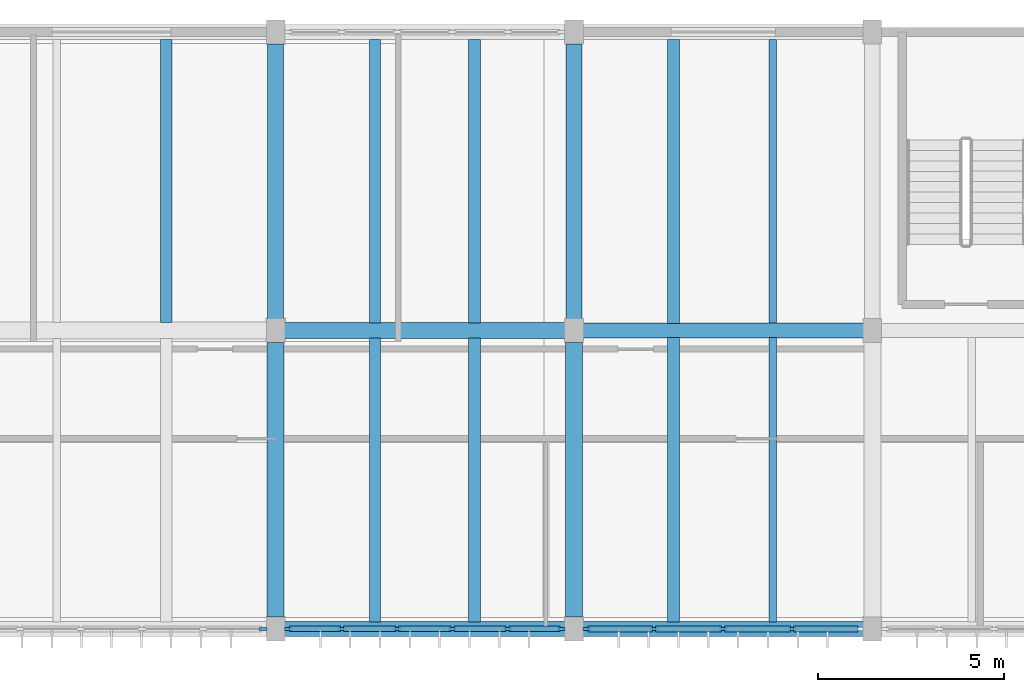
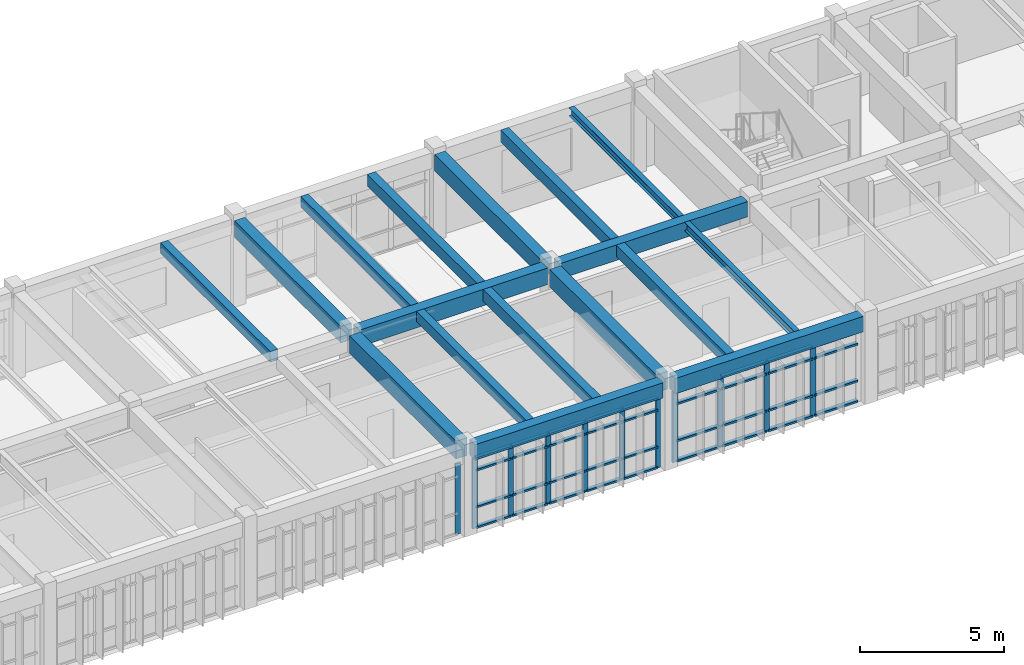
# One storey, part 5 of 15: 47 members, 17 beams, 3 elements without a shape of their own.
"""IFC4 building model written with IfcOpenShell, lengths in metres."""

from ifc_helpers import new_model, si_unit, direction, frame, origin, origin_2d, place, context, subcontext, project, spatial, rectangle, i_section, extrude, material, material_profile, profile_set, type_object, element, aggregate, save


model = new_model("IFC4")

# Units and contexts
model_context = context("Model", 3, precision=1e-05, world=origin(), true_north=direction((0.0, 1.0)))
body_context = subcontext(model_context, "Body", "Model", "MODEL_VIEW")
ifc_project = project(units=[si_unit("LENGTHUNIT", "METRE"), si_unit("AREAUNIT", "SQUARE_METRE"), si_unit("VOLUMEUNIT", "CUBIC_METRE"), si_unit("PLANEANGLEUNIT", "RADIAN"), si_unit("MASSUNIT", "GRAM", prefix="KILO")], contexts=[model_context])

# Site, building, storey
site_placement = place(None, origin())
site = spatial("IfcSite", under=ifc_project, at=site_placement, CompositionType="ELEMENT")
building_placement = place(site_placement, origin())
building = spatial("IfcBuilding", under=site, at=building_placement, Name="Tlaxcora Railside Police Headquarters", CompositionType="ELEMENT")
storey_placement = place(building_placement, frame((0.0, 0.0, 25.800048828125)))
storey = spatial("IfcBuildingStorey", under=building, at=storey_placement, Name="L06", CompositionType="ELEMENT", Elevation=25.800048828125)

# Curtain wall, member
ifc_material_1 = material(Name="Thermally broken low-E insulated glazing", Category="glass")
curtain_wall_type_1 = type_object("IfcCurtainWallType", Name="Unitised Curtain Wall Assembly CW-38", PredefinedType="NOTDEFINED", material=ifc_material_1)
curtain_wall_1_placement = place(storey_placement, origin())
curtain_wall_1 = element("IfcCurtainWall", 1, at=curtain_wall_1_placement, inside=storey, type_object=curtain_wall_type_1, Name="V5 L06 curtain wall 125", PredefinedType="NOTDEFINED")
ifc_material_2 = material(Name="Anodised aluminium framing", Category="aluminium")
ifc_material_profile_1 = material_profile(ifc_material_2, rectangle(XDim=0.074951171875, YDim=0.205078125, at=origin_2d()), Name="AL75X205")
ifc_profile_set_1 = profile_set([ifc_material_profile_1], Name="Anodised aluminium framing")
member_type_1 = type_object("IfcMemberType", Name="Curtain Wall Mullion CW-32", PredefinedType="MULLION", material=ifc_profile_set_1)
member_1_placement = place(storey_placement, frame((53.66259765625, 76.800048828125, 0.0), z_axis=(0.0, 0.0, 1.0), x_axis=(0.0, 1.0, 0.0)))
member_1 = element("IfcMember", 2, at=member_1_placement, type_object=member_type_1, Name="CW mullion 6", PredefinedType="MULLION", context=body_context, shape_type="SweptSolid", body=[
    extrude(rectangle(XDim=0.074951171875, YDim=0.205078125, at=origin_2d()), origin(), (0.0, 0.0, 1.0), 2.989990234375),
])
aggregate(curtain_wall_1, [member_1])

# Curtain wall, members
curtain_wall_type_2 = type_object("IfcCurtainWallType", Name="Unitised Curtain Wall Assembly CW-15", PredefinedType="NOTDEFINED", material=ifc_material_1)
curtain_wall_2_placement = place(storey_placement, origin())
curtain_wall_2 = element("IfcCurtainWall", 3, at=curtain_wall_2_placement, inside=storey, type_object=curtain_wall_type_2, Name="V5 L06 curtain wall 126", PredefinedType="NOTDEFINED")
ifc_material_profile_2 = material_profile(ifc_material_2, rectangle(XDim=0.074951171875, YDim=0.199951171875, at=origin_2d()), Name="AL75X200")
ifc_profile_set_2 = profile_set([ifc_material_profile_2], Name="Anodised aluminium framing")
member_type_2 = type_object("IfcMemberType", Name="Curtain Wall Mullion CW-58", PredefinedType="MULLION", material=ifc_profile_set_2)
member_2_placement = place(storey_placement, frame((54.33740234375, 76.800048828125, 0.0), z_axis=(0.0, 0.0, 1.0), x_axis=(0.0, 1.0, 0.0)))
member_2 = element("IfcMember", 4, at=member_2_placement, type_object=member_type_2, Name="CW mullion 1", PredefinedType="MULLION", context=body_context, shape_type="SweptSolid", body=[
    extrude(rectangle(XDim=0.074951171875, YDim=0.199951171875, at=origin_2d()), origin(), (0.0, 0.0, 1.0), 2.989990234375),
])
member_3_placement = place(storey_placement, frame((55.780029296875, 76.800048828125, 0.0), z_axis=(0.0, 0.0, 1.0), x_axis=(0.0, 1.0, 0.0)))
member_3 = element("IfcMember", 5, at=member_3_placement, type_object=member_type_2, Name="CW mullion 2", PredefinedType="MULLION", context=body_context, shape_type="SweptSolid", body=[
    extrude(rectangle(XDim=0.074951171875, YDim=0.199951171875, at=origin_2d()), origin(), (0.0, 0.0, 1.0), 2.989990234375),
])
member_4_placement = place(storey_placement, frame((57.260009765625, 76.800048828125, 0.0), z_axis=(0.0, 0.0, 1.0), x_axis=(0.0, 1.0, 0.0)))
member_4 = element("IfcMember", 6, at=member_4_placement, type_object=member_type_2, Name="CW mullion 3", PredefinedType="MULLION", context=body_context, shape_type="SweptSolid", body=[
    extrude(rectangle(XDim=0.074951171875, YDim=0.199951171875, at=origin_2d()), origin(), (0.0, 0.0, 1.0), 2.989990234375),
])
member_5_placement = place(storey_placement, frame((58.739990234375, 76.800048828125, 0.0), z_axis=(0.0, 0.0, 1.0), x_axis=(0.0, 1.0, 0.0)))
member_5 = element("IfcMember", 7, at=member_5_placement, type_object=member_type_2, Name="CW mullion 4", PredefinedType="MULLION", context=body_context, shape_type="SweptSolid", body=[
    extrude(rectangle(XDim=0.074951171875, YDim=0.199951171875, at=origin_2d()), origin(), (0.0, 0.0, 1.0), 2.989990234375),
])
member_6_placement = place(storey_placement, frame((60.219970703125, 76.800048828125, 0.0), z_axis=(0.0, 0.0, 1.0), x_axis=(0.0, 1.0, 0.0)))
member_6 = element("IfcMember", 8, at=member_6_placement, type_object=member_type_2, Name="CW mullion 5", PredefinedType="MULLION", context=body_context, shape_type="SweptSolid", body=[
    extrude(rectangle(XDim=0.074951171875, YDim=0.199951171875, at=origin_2d()), origin(), (0.0, 0.0, 1.0), 2.989990234375),
])
member_7_placement = place(storey_placement, frame((61.66259765625, 76.800048828125, 0.0), z_axis=(0.0, 0.0, 1.0), x_axis=(0.0, 1.0, 0.0)))
member_7 = element("IfcMember", 9, at=member_7_placement, type_object=member_type_2, Name="CW mullion 6", PredefinedType="MULLION", context=body_context, shape_type="SweptSolid", body=[
    extrude(rectangle(XDim=0.074951171875, YDim=0.199951171875, at=origin_2d()), origin(), (0.0, 0.0, 1.0), 2.989990234375),
])

curtain_wall_type_3 = type_object("IfcCurtainWallType", Name="Unitised Curtain Wall Assembly CW-83", PredefinedType="NOTDEFINED", material=ifc_material_1)
curtain_wall_3_placement = place(storey_placement, origin())
curtain_wall_3 = element("IfcCurtainWall", 10, at=curtain_wall_3_placement, inside=storey, type_object=curtain_wall_type_3, Name="V5 L06 curtain wall 127", PredefinedType="NOTDEFINED")
ifc_material_profile_3 = material_profile(ifc_material_2, rectangle(XDim=0.080078125, YDim=0.2099609375, at=origin_2d()), Name="AL80X210")
ifc_profile_set_3 = profile_set([ifc_material_profile_3], Name="Anodised aluminium framing")
member_type_3 = type_object("IfcMemberType", Name="Curtain Wall Mullion CW-76", PredefinedType="MULLION", material=ifc_profile_set_3)
member_8_placement = place(storey_placement, frame((62.340087890625, 76.800048828125, 0.0), z_axis=(0.0, 0.0, 1.0), x_axis=(0.0, 1.0, 0.0)))
member_8 = element("IfcMember", 11, at=member_8_placement, type_object=member_type_3, Name="CW mullion 1", PredefinedType="MULLION", context=body_context, shape_type="SweptSolid", body=[
    extrude(rectangle(XDim=0.080078125, YDim=0.2099609375, at=origin_2d()), origin(), (0.0, 0.0, 1.0), 2.989990234375),
])
member_9_placement = place(storey_placement, frame((64.14990234375, 76.800048828125, 0.0), z_axis=(0.0, 0.0, 1.0), x_axis=(0.0, 1.0, 0.0)))
member_9 = element("IfcMember", 12, at=member_9_placement, type_object=member_type_3, Name="CW mullion 2", PredefinedType="MULLION", context=body_context, shape_type="SweptSolid", body=[
    extrude(rectangle(XDim=0.080078125, YDim=0.2099609375, at=origin_2d()), origin(), (0.0, 0.0, 1.0), 2.989990234375),
])
member_10_placement = place(storey_placement, frame((66.0, 76.800048828125, 0.0), z_axis=(0.0, 0.0, 1.0), x_axis=(0.0, 1.0, 0.0)))
member_10 = element("IfcMember", 13, at=member_10_placement, type_object=member_type_3, Name="CW mullion 3", PredefinedType="MULLION", context=body_context, shape_type="SweptSolid", body=[
    extrude(rectangle(XDim=0.080078125, YDim=0.2099609375, at=origin_2d()), origin(), (0.0, 0.0, 1.0), 2.989990234375),
])
member_11_placement = place(storey_placement, frame((67.85009765625, 76.800048828125, 0.0), z_axis=(0.0, 0.0, 1.0), x_axis=(0.0, 1.0, 0.0)))
member_11 = element("IfcMember", 14, at=member_11_placement, type_object=member_type_3, Name="CW mullion 4", PredefinedType="MULLION", context=body_context, shape_type="SweptSolid", body=[
    extrude(rectangle(XDim=0.080078125, YDim=0.2099609375, at=origin_2d()), origin(), (0.0, 0.0, 1.0), 2.989990234375),
])

# Member
ifc_material_profile_4 = material_profile(ifc_material_2, rectangle(XDim=0.14990234375, YDim=0.074951171875, at=origin_2d()), Name="AL75X150")
ifc_profile_set_4 = profile_set([ifc_material_profile_4], Name="Anodised aluminium framing")
member_type_4 = type_object("IfcMemberType", Name="Curtain Wall Transom CW-28", PredefinedType="USERDEFINED", material=ifc_profile_set_4)
member_12_placement = place(storey_placement, frame((54.375, 76.800048828125, 0.037353515625), z_axis=(1.0, 0.0, 0.0), x_axis=(0.0, 1.0, 0.0)))
member_12 = element("IfcMember", 15, at=member_12_placement, type_object=member_type_4, Name="CW transom 1.1", ObjectType="TRANSOM", PredefinedType="USERDEFINED", context=body_context, shape_type="SweptSolid", body=[
    extrude(rectangle(XDim=0.14990234375, YDim=0.074951171875, at=origin_2d()), origin(), (0.0, 0.0, 1.0), 1.367431640625),
])

member_13_placement = place(storey_placement, frame((54.375, 76.800048828125, 0.89990234375), z_axis=(1.0, 0.0, 0.0), x_axis=(0.0, 1.0, 0.0)))
member_13 = element("IfcMember", 16, at=member_13_placement, type_object=member_type_4, Name="CW transom 1.2", ObjectType="TRANSOM", PredefinedType="USERDEFINED", context=body_context, shape_type="SweptSolid", body=[
    extrude(rectangle(XDim=0.14990234375, YDim=0.074951171875, at=origin_2d()), origin(), (0.0, 0.0, 1.0), 1.367431640625),
])

member_14_placement = place(storey_placement, frame((54.375, 76.800048828125, 2.4599609375), z_axis=(1.0, 0.0, 0.0), x_axis=(0.0, 1.0, 0.0)))
member_14 = element("IfcMember", 17, at=member_14_placement, type_object=member_type_4, Name="CW transom 1.3", ObjectType="TRANSOM", PredefinedType="USERDEFINED", context=body_context, shape_type="SweptSolid", body=[
    extrude(rectangle(XDim=0.14990234375, YDim=0.074951171875, at=origin_2d()), origin(), (0.0, 0.0, 1.0), 1.367431640625),
])

member_15_placement = place(storey_placement, frame((54.375, 76.800048828125, 2.952392578125), z_axis=(1.0, 0.0, 0.0), x_axis=(0.0, 1.0, 0.0)))
member_15 = element("IfcMember", 18, at=member_15_placement, type_object=member_type_4, Name="CW transom 1.4", ObjectType="TRANSOM", PredefinedType="USERDEFINED", context=body_context, shape_type="SweptSolid", body=[
    extrude(rectangle(XDim=0.14990234375, YDim=0.074951171875, at=origin_2d()), origin(), (0.0, 0.0, 1.0), 1.367431640625),
])

member_16_placement = place(storey_placement, frame((55.8173828125, 76.800048828125, 0.037353515625), z_axis=(1.0, 0.0, 0.0), x_axis=(0.0, 1.0, 0.0)))
member_16 = element("IfcMember", 19, at=member_16_placement, type_object=member_type_4, Name="CW transom 2.1", ObjectType="TRANSOM", PredefinedType="USERDEFINED", context=body_context, shape_type="SweptSolid", body=[
    extrude(rectangle(XDim=0.14990234375, YDim=0.074951171875, at=origin_2d()), origin(), (0.0, 0.0, 1.0), 1.405029296875),
])

member_17_placement = place(storey_placement, frame((55.8173828125, 76.800048828125, 0.89990234375), z_axis=(1.0, 0.0, 0.0), x_axis=(0.0, 1.0, 0.0)))
member_17 = element("IfcMember", 20, at=member_17_placement, type_object=member_type_4, Name="CW transom 2.2", ObjectType="TRANSOM", PredefinedType="USERDEFINED", context=body_context, shape_type="SweptSolid", body=[
    extrude(rectangle(XDim=0.14990234375, YDim=0.074951171875, at=origin_2d()), origin(), (0.0, 0.0, 1.0), 1.405029296875),
])

member_18_placement = place(storey_placement, frame((55.8173828125, 76.800048828125, 2.4599609375), z_axis=(1.0, 0.0, 0.0), x_axis=(0.0, 1.0, 0.0)))
member_18 = element("IfcMember", 21, at=member_18_placement, type_object=member_type_4, Name="CW transom 2.3", ObjectType="TRANSOM", PredefinedType="USERDEFINED", context=body_context, shape_type="SweptSolid", body=[
    extrude(rectangle(XDim=0.14990234375, YDim=0.074951171875, at=origin_2d()), origin(), (0.0, 0.0, 1.0), 1.405029296875),
])

member_19_placement = place(storey_placement, frame((55.8173828125, 76.800048828125, 2.952392578125), z_axis=(1.0, 0.0, 0.0), x_axis=(0.0, 1.0, 0.0)))
member_19 = element("IfcMember", 22, at=member_19_placement, type_object=member_type_4, Name="CW transom 2.4", ObjectType="TRANSOM", PredefinedType="USERDEFINED", context=body_context, shape_type="SweptSolid", body=[
    extrude(rectangle(XDim=0.14990234375, YDim=0.074951171875, at=origin_2d()), origin(), (0.0, 0.0, 1.0), 1.405029296875),
])

member_20_placement = place(storey_placement, frame((57.297607421875, 76.800048828125, 0.037353515625), z_axis=(1.0, 0.0, 0.0), x_axis=(0.0, 1.0, 0.0)))
member_20 = element("IfcMember", 23, at=member_20_placement, type_object=member_type_4, Name="CW transom 3.1", ObjectType="TRANSOM", PredefinedType="USERDEFINED", context=body_context, shape_type="SweptSolid", body=[
    extrude(rectangle(XDim=0.14990234375, YDim=0.074951171875, at=origin_2d()), origin(), (0.0, 0.0, 1.0), 1.40478515625),
])

member_21_placement = place(storey_placement, frame((57.297607421875, 76.800048828125, 0.89990234375), z_axis=(1.0, 0.0, 0.0), x_axis=(0.0, 1.0, 0.0)))
member_21 = element("IfcMember", 24, at=member_21_placement, type_object=member_type_4, Name="CW transom 3.2", ObjectType="TRANSOM", PredefinedType="USERDEFINED", context=body_context, shape_type="SweptSolid", body=[
    extrude(rectangle(XDim=0.14990234375, YDim=0.074951171875, at=origin_2d()), origin(), (0.0, 0.0, 1.0), 1.40478515625),
])

member_22_placement = place(storey_placement, frame((57.297607421875, 76.800048828125, 2.4599609375), z_axis=(1.0, 0.0, 0.0), x_axis=(0.0, 1.0, 0.0)))
member_22 = element("IfcMember", 25, at=member_22_placement, type_object=member_type_4, Name="CW transom 3.3", ObjectType="TRANSOM", PredefinedType="USERDEFINED", context=body_context, shape_type="SweptSolid", body=[
    extrude(rectangle(XDim=0.14990234375, YDim=0.074951171875, at=origin_2d()), origin(), (0.0, 0.0, 1.0), 1.40478515625),
])

member_23_placement = place(storey_placement, frame((57.297607421875, 76.800048828125, 2.952392578125), z_axis=(1.0, 0.0, 0.0), x_axis=(0.0, 1.0, 0.0)))
member_23 = element("IfcMember", 26, at=member_23_placement, type_object=member_type_4, Name="CW transom 3.4", ObjectType="TRANSOM", PredefinedType="USERDEFINED", context=body_context, shape_type="SweptSolid", body=[
    extrude(rectangle(XDim=0.14990234375, YDim=0.074951171875, at=origin_2d()), origin(), (0.0, 0.0, 1.0), 1.40478515625),
])

member_24_placement = place(storey_placement, frame((58.777587890625, 76.800048828125, 0.037353515625), z_axis=(1.0, 0.0, 0.0), x_axis=(0.0, 1.0, 0.0)))
member_24 = element("IfcMember", 27, at=member_24_placement, type_object=member_type_4, Name="CW transom 4.1", ObjectType="TRANSOM", PredefinedType="USERDEFINED", context=body_context, shape_type="SweptSolid", body=[
    extrude(rectangle(XDim=0.14990234375, YDim=0.074951171875, at=origin_2d()), origin(), (0.0, 0.0, 1.0), 1.405029296875),
])

member_25_placement = place(storey_placement, frame((58.777587890625, 76.800048828125, 0.89990234375), z_axis=(1.0, 0.0, 0.0), x_axis=(0.0, 1.0, 0.0)))
member_25 = element("IfcMember", 28, at=member_25_placement, type_object=member_type_4, Name="CW transom 4.2", ObjectType="TRANSOM", PredefinedType="USERDEFINED", context=body_context, shape_type="SweptSolid", body=[
    extrude(rectangle(XDim=0.14990234375, YDim=0.074951171875, at=origin_2d()), origin(), (0.0, 0.0, 1.0), 1.405029296875),
])

member_26_placement = place(storey_placement, frame((58.777587890625, 76.800048828125, 2.4599609375), z_axis=(1.0, 0.0, 0.0), x_axis=(0.0, 1.0, 0.0)))
member_26 = element("IfcMember", 29, at=member_26_placement, type_object=member_type_4, Name="CW transom 4.3", ObjectType="TRANSOM", PredefinedType="USERDEFINED", context=body_context, shape_type="SweptSolid", body=[
    extrude(rectangle(XDim=0.14990234375, YDim=0.074951171875, at=origin_2d()), origin(), (0.0, 0.0, 1.0), 1.405029296875),
])

member_27_placement = place(storey_placement, frame((58.777587890625, 76.800048828125, 2.952392578125), z_axis=(1.0, 0.0, 0.0), x_axis=(0.0, 1.0, 0.0)))
member_27 = element("IfcMember", 30, at=member_27_placement, type_object=member_type_4, Name="CW transom 4.4", ObjectType="TRANSOM", PredefinedType="USERDEFINED", context=body_context, shape_type="SweptSolid", body=[
    extrude(rectangle(XDim=0.14990234375, YDim=0.074951171875, at=origin_2d()), origin(), (0.0, 0.0, 1.0), 1.405029296875),
])

member_28_placement = place(storey_placement, frame((60.257568359375, 76.800048828125, 0.037353515625), z_axis=(1.0, 0.0, 0.0), x_axis=(0.0, 1.0, 0.0)))
member_28 = element("IfcMember", 31, at=member_28_placement, type_object=member_type_4, Name="CW transom 5.1", ObjectType="TRANSOM", PredefinedType="USERDEFINED", context=body_context, shape_type="SweptSolid", body=[
    extrude(rectangle(XDim=0.14990234375, YDim=0.074951171875, at=origin_2d()), origin(), (0.0, 0.0, 1.0), 1.367431640625),
])

member_29_placement = place(storey_placement, frame((60.257568359375, 76.800048828125, 0.89990234375), z_axis=(1.0, 0.0, 0.0), x_axis=(0.0, 1.0, 0.0)))
member_29 = element("IfcMember", 32, at=member_29_placement, type_object=member_type_4, Name="CW transom 5.2", ObjectType="TRANSOM", PredefinedType="USERDEFINED", context=body_context, shape_type="SweptSolid", body=[
    extrude(rectangle(XDim=0.14990234375, YDim=0.074951171875, at=origin_2d()), origin(), (0.0, 0.0, 1.0), 1.367431640625),
])

member_30_placement = place(storey_placement, frame((60.257568359375, 76.800048828125, 2.4599609375), z_axis=(1.0, 0.0, 0.0), x_axis=(0.0, 1.0, 0.0)))
member_30 = element("IfcMember", 33, at=member_30_placement, type_object=member_type_4, Name="CW transom 5.3", ObjectType="TRANSOM", PredefinedType="USERDEFINED", context=body_context, shape_type="SweptSolid", body=[
    extrude(rectangle(XDim=0.14990234375, YDim=0.074951171875, at=origin_2d()), origin(), (0.0, 0.0, 1.0), 1.367431640625),
])

member_31_placement = place(storey_placement, frame((60.257568359375, 76.800048828125, 2.952392578125), z_axis=(1.0, 0.0, 0.0), x_axis=(0.0, 1.0, 0.0)))
member_31 = element("IfcMember", 34, at=member_31_placement, type_object=member_type_4, Name="CW transom 5.4", ObjectType="TRANSOM", PredefinedType="USERDEFINED", context=body_context, shape_type="SweptSolid", body=[
    extrude(rectangle(XDim=0.14990234375, YDim=0.074951171875, at=origin_2d()), origin(), (0.0, 0.0, 1.0), 1.367431640625),
])

aggregate(curtain_wall_2, [member_2, member_3, member_4, member_5, member_6, member_7, member_12, member_13, member_14, member_15, member_16, member_17, member_18, member_19, member_20, member_21, member_22, member_23, member_24, member_25, member_26, member_27, member_28, member_29, member_30, member_31])

ifc_material_profile_5 = material_profile(ifc_material_2, rectangle(XDim=0.159912109375, YDim=0.080078125, at=origin_2d()), Name="AL80X160")
ifc_profile_set_5 = profile_set([ifc_material_profile_5], Name="Anodised aluminium framing")
member_type_5 = type_object("IfcMemberType", Name="Curtain Wall Transom CW-82", PredefinedType="USERDEFINED", material=ifc_profile_set_5)
member_32_placement = place(storey_placement, frame((62.3798828125, 76.800048828125, 0.0400390625), z_axis=(1.0, 0.0, 0.0), x_axis=(0.0, 1.0, 0.0)))
member_32 = element("IfcMember", 35, at=member_32_placement, type_object=member_type_5, Name="CW transom 1.1", ObjectType="TRANSOM", PredefinedType="USERDEFINED", context=body_context, shape_type="SweptSolid", body=[
    extrude(rectangle(XDim=0.159912109375, YDim=0.080078125, at=origin_2d()), origin(), (0.0, 0.0, 1.0), 1.730224609375),
])

member_33_placement = place(storey_placement, frame((62.3798828125, 76.800048828125, 0.89990234375), z_axis=(1.0, 0.0, 0.0), x_axis=(0.0, 1.0, 0.0)))
member_33 = element("IfcMember", 36, at=member_33_placement, type_object=member_type_5, Name="CW transom 1.2", ObjectType="TRANSOM", PredefinedType="USERDEFINED", context=body_context, shape_type="SweptSolid", body=[
    extrude(rectangle(XDim=0.159912109375, YDim=0.080078125, at=origin_2d()), origin(), (0.0, 0.0, 1.0), 1.730224609375),
])

member_34_placement = place(storey_placement, frame((62.3798828125, 76.800048828125, 2.4599609375), z_axis=(1.0, 0.0, 0.0), x_axis=(0.0, 1.0, 0.0)))
member_34 = element("IfcMember", 37, at=member_34_placement, type_object=member_type_5, Name="CW transom 1.3", ObjectType="TRANSOM", PredefinedType="USERDEFINED", context=body_context, shape_type="SweptSolid", body=[
    extrude(rectangle(XDim=0.159912109375, YDim=0.080078125, at=origin_2d()), origin(), (0.0, 0.0, 1.0), 1.730224609375),
])

member_35_placement = place(storey_placement, frame((62.3798828125, 76.800048828125, 2.949951171875), z_axis=(1.0, 0.0, 0.0), x_axis=(0.0, 1.0, 0.0)))
member_35 = element("IfcMember", 38, at=member_35_placement, type_object=member_type_5, Name="CW transom 1.4", ObjectType="TRANSOM", PredefinedType="USERDEFINED", context=body_context, shape_type="SweptSolid", body=[
    extrude(rectangle(XDim=0.159912109375, YDim=0.080078125, at=origin_2d()), origin(), (0.0, 0.0, 1.0), 1.730224609375),
])

member_36_placement = place(storey_placement, frame((64.18994140625, 76.800048828125, 0.0400390625), z_axis=(1.0, 0.0, 0.0), x_axis=(0.0, 1.0, 0.0)))
member_36 = element("IfcMember", 39, at=member_36_placement, type_object=member_type_5, Name="CW transom 2.1", ObjectType="TRANSOM", PredefinedType="USERDEFINED", context=body_context, shape_type="SweptSolid", body=[
    extrude(rectangle(XDim=0.159912109375, YDim=0.080078125, at=origin_2d()), origin(), (0.0, 0.0, 1.0), 1.77001953125),
])

member_37_placement = place(storey_placement, frame((64.18994140625, 76.800048828125, 0.89990234375), z_axis=(1.0, 0.0, 0.0), x_axis=(0.0, 1.0, 0.0)))
member_37 = element("IfcMember", 40, at=member_37_placement, type_object=member_type_5, Name="CW transom 2.2", ObjectType="TRANSOM", PredefinedType="USERDEFINED", context=body_context, shape_type="SweptSolid", body=[
    extrude(rectangle(XDim=0.159912109375, YDim=0.080078125, at=origin_2d()), origin(), (0.0, 0.0, 1.0), 1.77001953125),
])

member_38_placement = place(storey_placement, frame((64.18994140625, 76.800048828125, 2.4599609375), z_axis=(1.0, 0.0, 0.0), x_axis=(0.0, 1.0, 0.0)))
member_38 = element("IfcMember", 41, at=member_38_placement, type_object=member_type_5, Name="CW transom 2.3", ObjectType="TRANSOM", PredefinedType="USERDEFINED", context=body_context, shape_type="SweptSolid", body=[
    extrude(rectangle(XDim=0.159912109375, YDim=0.080078125, at=origin_2d()), origin(), (0.0, 0.0, 1.0), 1.77001953125),
])

member_39_placement = place(storey_placement, frame((64.18994140625, 76.800048828125, 2.949951171875), z_axis=(1.0, 0.0, 0.0), x_axis=(0.0, 1.0, 0.0)))
member_39 = element("IfcMember", 42, at=member_39_placement, type_object=member_type_5, Name="CW transom 2.4", ObjectType="TRANSOM", PredefinedType="USERDEFINED", context=body_context, shape_type="SweptSolid", body=[
    extrude(rectangle(XDim=0.159912109375, YDim=0.080078125, at=origin_2d()), origin(), (0.0, 0.0, 1.0), 1.77001953125),
])

member_40_placement = place(storey_placement, frame((66.0400390625, 76.800048828125, 0.0400390625), z_axis=(1.0, 0.0, 0.0), x_axis=(0.0, 1.0, 0.0)))
member_40 = element("IfcMember", 43, at=member_40_placement, type_object=member_type_5, Name="CW transom 3.1", ObjectType="TRANSOM", PredefinedType="USERDEFINED", context=body_context, shape_type="SweptSolid", body=[
    extrude(rectangle(XDim=0.159912109375, YDim=0.080078125, at=origin_2d()), origin(), (0.0, 0.0, 1.0), 1.77001953125),
])

member_41_placement = place(storey_placement, frame((66.0400390625, 76.800048828125, 0.89990234375), z_axis=(1.0, 0.0, 0.0), x_axis=(0.0, 1.0, 0.0)))
member_41 = element("IfcMember", 44, at=member_41_placement, type_object=member_type_5, Name="CW transom 3.2", ObjectType="TRANSOM", PredefinedType="USERDEFINED", context=body_context, shape_type="SweptSolid", body=[
    extrude(rectangle(XDim=0.159912109375, YDim=0.080078125, at=origin_2d()), origin(), (0.0, 0.0, 1.0), 1.77001953125),
])

member_42_placement = place(storey_placement, frame((66.0400390625, 76.800048828125, 2.4599609375), z_axis=(1.0, 0.0, 0.0), x_axis=(0.0, 1.0, 0.0)))
member_42 = element("IfcMember", 45, at=member_42_placement, type_object=member_type_5, Name="CW transom 3.3", ObjectType="TRANSOM", PredefinedType="USERDEFINED", context=body_context, shape_type="SweptSolid", body=[
    extrude(rectangle(XDim=0.159912109375, YDim=0.080078125, at=origin_2d()), origin(), (0.0, 0.0, 1.0), 1.77001953125),
])

member_43_placement = place(storey_placement, frame((66.0400390625, 76.800048828125, 2.949951171875), z_axis=(1.0, 0.0, 0.0), x_axis=(0.0, 1.0, 0.0)))
member_43 = element("IfcMember", 46, at=member_43_placement, type_object=member_type_5, Name="CW transom 3.4", ObjectType="TRANSOM", PredefinedType="USERDEFINED", context=body_context, shape_type="SweptSolid", body=[
    extrude(rectangle(XDim=0.159912109375, YDim=0.080078125, at=origin_2d()), origin(), (0.0, 0.0, 1.0), 1.77001953125),
])

member_44_placement = place(storey_placement, frame((67.889892578125, 76.800048828125, 0.0400390625), z_axis=(1.0, 0.0, 0.0), x_axis=(0.0, 1.0, 0.0)))
member_44 = element("IfcMember", 47, at=member_44_placement, type_object=member_type_5, Name="CW transom 4.1", ObjectType="TRANSOM", PredefinedType="USERDEFINED", context=body_context, shape_type="SweptSolid", body=[
    extrude(rectangle(XDim=0.159912109375, YDim=0.080078125, at=origin_2d()), origin(), (0.0, 0.0, 1.0), 1.730224609375),
])

member_45_placement = place(storey_placement, frame((67.889892578125, 76.800048828125, 0.89990234375), z_axis=(1.0, 0.0, 0.0), x_axis=(0.0, 1.0, 0.0)))
member_45 = element("IfcMember", 48, at=member_45_placement, type_object=member_type_5, Name="CW transom 4.2", ObjectType="TRANSOM", PredefinedType="USERDEFINED", context=body_context, shape_type="SweptSolid", body=[
    extrude(rectangle(XDim=0.159912109375, YDim=0.080078125, at=origin_2d()), origin(), (0.0, 0.0, 1.0), 1.730224609375),
])

member_46_placement = place(storey_placement, frame((67.889892578125, 76.800048828125, 2.4599609375), z_axis=(1.0, 0.0, 0.0), x_axis=(0.0, 1.0, 0.0)))
member_46 = element("IfcMember", 49, at=member_46_placement, type_object=member_type_5, Name="CW transom 4.3", ObjectType="TRANSOM", PredefinedType="USERDEFINED", context=body_context, shape_type="SweptSolid", body=[
    extrude(rectangle(XDim=0.159912109375, YDim=0.080078125, at=origin_2d()), origin(), (0.0, 0.0, 1.0), 1.730224609375),
])

member_47_placement = place(storey_placement, frame((67.889892578125, 76.800048828125, 2.949951171875), z_axis=(1.0, 0.0, 0.0), x_axis=(0.0, 1.0, 0.0)))
member_47 = element("IfcMember", 50, at=member_47_placement, type_object=member_type_5, Name="CW transom 4.4", ObjectType="TRANSOM", PredefinedType="USERDEFINED", context=body_context, shape_type="SweptSolid", body=[
    extrude(rectangle(XDim=0.159912109375, YDim=0.080078125, at=origin_2d()), origin(), (0.0, 0.0, 1.0), 1.730224609375),
])

aggregate(curtain_wall_3, [member_8, member_9, member_10, member_11, member_32, member_33, member_34, member_35, member_36, member_37, member_38, member_39, member_40, member_41, member_42, member_43, member_44, member_45, member_46, member_47])

# Beams
ifc_material_3 = material(Name="Concrete C40/50", Category="concrete")
ifc_material_profile_6 = material_profile(ifc_material_3, rectangle(XDim=0.39990234375, YDim=0.64990234375, at=origin_2d()), Name="RC400X650")
ifc_profile_set_6 = profile_set([ifc_material_profile_6], Name="Concrete C40/50")
beam_type_1 = type_object("IfcBeamType", Name="Perimeter Spandrel Beam BM-46", PredefinedType="SPANDREL", material=ifc_profile_set_6)
for number, where, z_axis, x_axis, name in (
    (51, (54.239990234375, 76.800048828125, 3.3349609375), (1.0, 0.0, 0.0), (0.0, 1.0, 0.0), "V5 L06 X-girder Y=76.8"),
    (52, (62.239990234375, 76.800048828125, 3.3349609375), (1.0, 0.0, 0.0), (0.0, 1.0, 0.0), "V5 L06 X-girder Y=76.8"),
):
    element("IfcBeam", number, at=place(storey_placement, frame(where, z_axis=z_axis, x_axis=x_axis)), inside=storey, type_object=beam_type_1, Name=name, PredefinedType="SPANDREL", context=body_context, shape_type="SweptSolid", body=[
        extrude(rectangle(XDim=0.39990234375, YDim=0.64990234375, at=origin_2d()), origin(), (0.0, 0.0, 1.0), 7.52001953125),
    ])
ifc_material_profile_7 = material_profile(ifc_material_3, rectangle(XDim=0.419921875, YDim=0.699951171875, at=origin_2d()), Name="RC420X700")
ifc_profile_set_7 = profile_set([ifc_material_profile_7], Name="Concrete C40/50")
beam_type_2 = type_object("IfcBeamType", Name="Primary Frame Girder BM-35", PredefinedType="BEAM", material=ifc_profile_set_7)
beam_1_placement = place(storey_placement, frame((54.239990234375, 84.800048828125, 3.31005859375), z_axis=(1.0, 0.0, 0.0), x_axis=(0.0, 1.0, 0.0)))
element("IfcBeam", 53, at=beam_1_placement, inside=storey, type_object=beam_type_2, Name="V5 L06 X-girder Y=84.8", PredefinedType="BEAM", context=body_context, shape_type="SweptSolid", body=[
    extrude(rectangle(XDim=0.419921875, YDim=0.699951171875, at=origin_2d()), origin(), (0.0, 0.0, 1.0), 7.52001953125),
])
for number, where, z_axis, x_axis, name in (
    (54, (54.0, 85.114990234375, 3.31005859375), (0.0, 1.0, 0.0), (-1.0, 0.0, 0.0), "V5 L06 Y-girder X=54.0"),
    (55, (62.0, 85.114990234375, 3.31005859375), (0.0, 1.0, 0.0), (-1.0, 0.0, 0.0), "V5 L06 Y-girder X=62.0"),
):
    element("IfcBeam", number, at=place(storey_placement, frame(where, z_axis=z_axis, x_axis=x_axis)), inside=storey, type_object=beam_type_2, Name=name, PredefinedType="BEAM", context=body_context, shape_type="SweptSolid", body=[
        extrude(rectangle(XDim=0.419921875, YDim=0.699951171875, at=origin_2d()), origin(), (0.0, 0.0, 1.0), 7.3701171875),
    ])
ifc_material_profile_8 = material_profile(ifc_material_3, rectangle(XDim=0.39990234375, YDim=0.64990234375, at=origin_2d()), Name="RC400X650")
ifc_profile_set_8 = profile_set([ifc_material_profile_8], Name="Concrete C40/50")
beam_type_3 = type_object("IfcBeamType", Name="Primary Frame Girder BM-41", PredefinedType="BEAM", material=ifc_profile_set_8)
beam_2_placement = place(storey_placement, frame((62.239990234375, 84.800048828125, 3.3349609375), z_axis=(1.0, 0.0, 0.0), x_axis=(0.0, 1.0, 0.0)))
element("IfcBeam", 56, at=beam_2_placement, inside=storey, type_object=beam_type_3, Name="V5 L06 X-girder Y=84.8", PredefinedType="BEAM", context=body_context, shape_type="SweptSolid", body=[
    extrude(rectangle(XDim=0.39990234375, YDim=0.64990234375, at=origin_2d()), origin(), (0.0, 0.0, 1.0), 7.52001953125),
])
ifc_material_profile_9 = material_profile(ifc_material_3, rectangle(XDim=0.449951171875, YDim=0.75, at=origin_2d()), Name="RC450X750")
ifc_profile_set_9 = profile_set([ifc_material_profile_9], Name="Concrete C40/50")
beam_type_4 = type_object("IfcBeamType", Name="Primary Frame Girder BM-73", PredefinedType="BEAM", material=ifc_profile_set_9)
for number, where, z_axis, x_axis, name in (
    (57, (54.0, 77.114990234375, 3.284912109375), (0.0, 1.0, 0.0), (-1.0, 0.0, 0.0), "V5 L06 Y-girder X=54.0"),
    (58, (62.0, 77.114990234375, 3.284912109375), (0.0, 1.0, 0.0), (-1.0, 0.0, 0.0), "V5 L06 Y-girder X=62.0"),
):
    element("IfcBeam", number, at=place(storey_placement, frame(where, z_axis=z_axis, x_axis=x_axis)), inside=storey, type_object=beam_type_4, Name=name, PredefinedType="BEAM", context=body_context, shape_type="SweptSolid", body=[
        extrude(rectangle(XDim=0.449951171875, YDim=0.75, at=origin_2d()), origin(), (0.0, 0.0, 1.0), 7.3701171875),
    ])
ifc_material_4 = material(Name="Concrete C35/45", Category="concrete")
ifc_material_profile_10 = material_profile(ifc_material_4, rectangle(XDim=0.300048828125, YDim=0.449951171875, at=origin_2d()), Name="RC300X450")
ifc_profile_set_10 = profile_set([ifc_material_profile_10], Name="Concrete C35/45")
beam_type_5 = type_object("IfcBeamType", Name="Secondary Floor Joist BM-27", PredefinedType="JOIST", material=ifc_profile_set_10)
beam_3_placement = place(storey_placement, frame((56.666748046875, 76.991943359375, 3.43505859375), z_axis=(0.0, 1.0, 0.0), x_axis=(-1.0, 0.0, 0.0)))
element("IfcBeam", 59, at=beam_3_placement, inside=storey, type_object=beam_type_5, Name="V5 L06 floor joist X=56.67", PredefinedType="JOIST", context=body_context, shape_type="SweptSolid", body=[
    extrude(rectangle(XDim=0.300048828125, YDim=0.449951171875, at=origin_2d()), origin(), (0.0, 0.0, 1.0), 7.60595703125),
])
beam_4_placement = place(storey_placement, frame((51.066650390625, 85.01708984375, 3.43505859375), z_axis=(0.0, 1.0, 0.0), x_axis=(-1.0, 0.0, 0.0)))
element("IfcBeam", 60, at=beam_4_placement, inside=storey, type_object=beam_type_5, Name="V5 L06 floor joist X=51.07", PredefinedType="JOIST", context=body_context, shape_type="SweptSolid", body=[
    extrude(rectangle(XDim=0.300048828125, YDim=0.449951171875, at=origin_2d()), origin(), (0.0, 0.0, 1.0), 7.5908203125),
])
beam_5_placement = place(storey_placement, frame((56.666748046875, 85.001953125, 3.43505859375), z_axis=(0.0, 1.0, 0.0), x_axis=(-1.0, 0.0, 0.0)))
element("IfcBeam", 61, at=beam_5_placement, inside=storey, type_object=beam_type_5, Name="V5 L06 floor joist X=56.67", PredefinedType="JOIST", context=body_context, shape_type="SweptSolid", body=[
    extrude(rectangle(XDim=0.300048828125, YDim=0.449951171875, at=origin_2d()), origin(), (0.0, 0.0, 1.0), 7.60595703125),
])
ifc_material_5 = material(Name="Steel ASTM A992 Grade 50", Category="steel")
ifc_material_profile_11 = material_profile(ifc_material_5, i_section(OverallWidth=0.2041015625, OverallDepth=0.35009765625, WebThickness=0.008544921875, FlangeThickness=0.01513671875, at=origin_2d()), Name="W14X48")
ifc_profile_set_11 = profile_set([ifc_material_profile_11], Name="Steel ASTM A992 Grade 50")
beam_type_6 = type_object("IfcBeamType", Name="Secondary Floor Joist BM-65", PredefinedType="JOIST", material=ifc_profile_set_11)
for number, where, z_axis, x_axis, name in (
    (62, (67.333251953125, 76.991943359375, 3.48486328125), (0.0, 1.0, 0.0), (-1.0, 0.0, 0.0), "V5 L06 floor joist X=67.33"),
    (63, (67.333251953125, 84.991943359375, 3.48486328125), (0.0, 1.0, 0.0), (-1.0, 0.0, 0.0), "V5 L06 floor joist X=67.33"),
):
    element("IfcBeam", number, at=place(storey_placement, frame(where, z_axis=z_axis, x_axis=x_axis)), inside=storey, type_object=beam_type_6, Name=name, PredefinedType="JOIST", context=body_context, shape_type="SweptSolid", body=[
        extrude(i_section(OverallWidth=0.2041015625, OverallDepth=0.35009765625, WebThickness=0.008544921875, FlangeThickness=0.01513671875, at=origin_2d()), origin(), (0.0, 0.0, 1.0), 7.615966796875),
    ])
ifc_material_profile_12 = material_profile(ifc_material_4, rectangle(XDim=0.320068359375, YDim=0.5, at=origin_2d()), Name="RC320X500")
ifc_profile_set_12 = profile_set([ifc_material_profile_12], Name="Concrete C35/45")
beam_type_7 = type_object("IfcBeamType", Name="Secondary Floor Joist BM-88", PredefinedType="JOIST", material=ifc_profile_set_12)
beam_6_placement = place(storey_placement, frame((59.333251953125, 76.991943359375, 3.409912109375), z_axis=(0.0, 1.0, 0.0), x_axis=(-1.0, 0.0, 0.0)))
element("IfcBeam", 64, at=beam_6_placement, inside=storey, type_object=beam_type_7, Name="V5 L06 floor joist X=59.33", PredefinedType="JOIST", context=body_context, shape_type="SweptSolid", body=[
    extrude(rectangle(XDim=0.320068359375, YDim=0.5, at=origin_2d()), origin(), (0.0, 0.0, 1.0), 7.60595703125),
])
beam_7_placement = place(storey_placement, frame((64.666748046875, 76.991943359375, 3.409912109375), z_axis=(0.0, 1.0, 0.0), x_axis=(-1.0, 0.0, 0.0)))
element("IfcBeam", 65, at=beam_7_placement, inside=storey, type_object=beam_type_7, Name="V5 L06 floor joist X=64.67", PredefinedType="JOIST", context=body_context, shape_type="SweptSolid", body=[
    extrude(rectangle(XDim=0.320068359375, YDim=0.5, at=origin_2d()), origin(), (0.0, 0.0, 1.0), 7.615966796875),
])
beam_8_placement = place(storey_placement, frame((59.333251953125, 85.001953125, 3.409912109375), z_axis=(0.0, 1.0, 0.0), x_axis=(-1.0, 0.0, 0.0)))
element("IfcBeam", 66, at=beam_8_placement, inside=storey, type_object=beam_type_7, Name="V5 L06 floor joist X=59.33", PredefinedType="JOIST", context=body_context, shape_type="SweptSolid", body=[
    extrude(rectangle(XDim=0.320068359375, YDim=0.5, at=origin_2d()), origin(), (0.0, 0.0, 1.0), 7.60595703125),
])
beam_9_placement = place(storey_placement, frame((64.666748046875, 84.991943359375, 3.409912109375), z_axis=(0.0, 1.0, 0.0), x_axis=(-1.0, 0.0, 0.0)))
element("IfcBeam", 67, at=beam_9_placement, inside=storey, type_object=beam_type_7, Name="V5 L06 floor joist X=64.67", PredefinedType="JOIST", context=body_context, shape_type="SweptSolid", body=[
    extrude(rectangle(XDim=0.320068359375, YDim=0.5, at=origin_2d()), origin(), (0.0, 0.0, 1.0), 7.615966796875),
])

save(model, "model.ifc")
